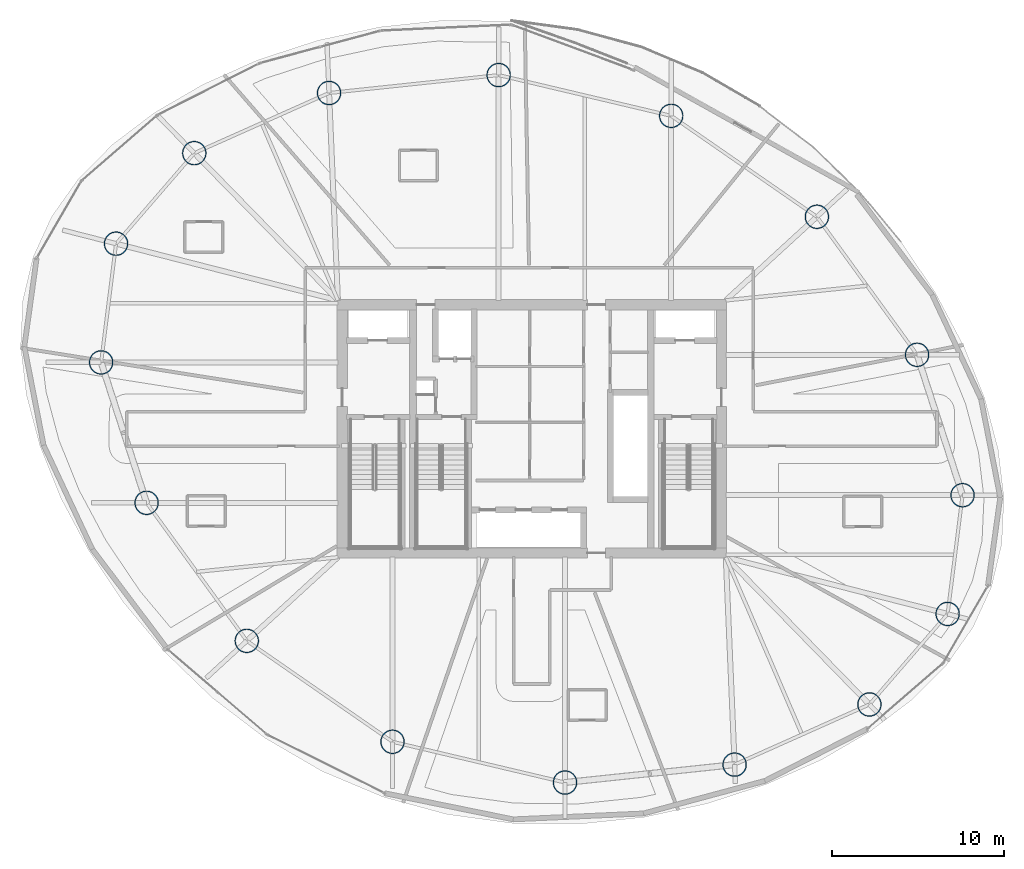
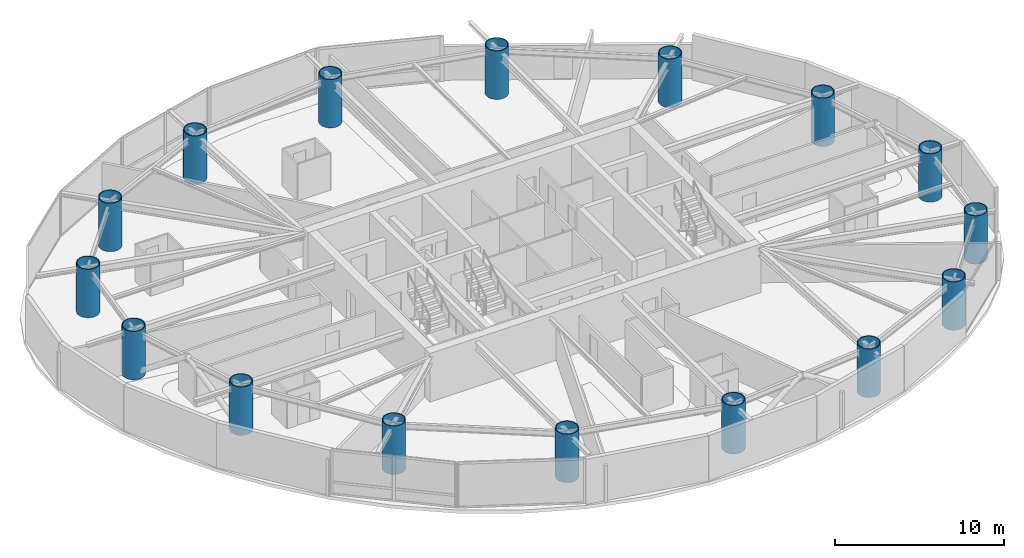
# One storey, part 1 of 19: 16 columns.
"""IFC4 building model written with IfcOpenShell, lengths in metres."""

import ifcopenshell
import ifcopenshell.guid

model = None  # the IFC model being written
_history = None  # IfcOwnerHistory: only IFC2X3 demands one
_inside = {}  # id of a spatial element -> (the spatial element, [elements in it])
_under = {}  # id of a project, library or spatial element -> (it, [spatial elements below it])
_declared = {}  # id of a project -> (the project, [libraries it declares])
_typed = {}  # id of a type object -> (the type object, [elements of that type])
_made_of = {}  # id of a material, layer set ... -> (it, [elements and type objects made of it])


def new_model(schema):
    """Start an empty IFC model of exactly this schema.

    Asked for "IFC4X3", IfcOpenShell would pick the latest addendum, in which some entities
    have other attributes; the version numbers below select the first issue.
    IFC2X3 requires an IfcOwnerHistory on every rooted entity: one is made here for all.
    """
    global model, _history
    if schema == "IFC4X3":
        model = ifcopenshell.file(schema_version=(4, 3, 0, 0))
    else:
        model = ifcopenshell.file(schema=schema)
    _inside.clear()
    _under.clear()
    _declared.clear()
    _typed.clear()
    _made_of.clear()
    _history = None
    if model.schema == "IFC2X3":
        org = make("IfcOrganization", Name="unknown")
        user = make(
            "IfcPersonAndOrganization",
            ThePerson=make("IfcPerson", FamilyName="unknown"),
            TheOrganization=org,
        )
        app = make(
            "IfcApplication",
            ApplicationDeveloper=org,
            Version="unknown",
            ApplicationFullName="unknown",
            ApplicationIdentifier="unknown",
        )
        _history = make(
            "IfcOwnerHistory",
            OwningUser=user,
            OwningApplication=app,
            ChangeAction="ADDED",
            CreationDate=0,
        )
    return model


def make(cls, **values):
    """One entity of the class cls with the attributes given. An attribute that is None is left unset."""
    return model.create_entity(
        cls, **{name: value for name, value in values.items() if value is not None}
    )


def rooted(cls, **values):
    """An entity with a GlobalId (a new one), such as an element, a storey or a relation."""
    return make(cls, GlobalId=ifcopenshell.guid.new(), OwnerHistory=_history, **values)


def si_unit(unit_type, name, prefix=None):
    """IfcSIUnit, for example si_unit("LENGTHUNIT", "METRE", prefix="MILLI")."""
    return make("IfcSIUnit", UnitType=unit_type, Prefix=prefix, Name=name)


def assignment(units):
    """IfcUnitAssignment: the units of a project."""
    return None if units is None else make("IfcUnitAssignment", Units=units)


def point(xyz):
    """IfcCartesianPoint."""
    return None if xyz is None else make("IfcCartesianPoint", Coordinates=xyz)


def direction(xyz):
    """IfcDirection."""
    return None if xyz is None else make("IfcDirection", DirectionRatios=xyz)


def frame(location, z_axis=None, x_axis=None):
    """IfcAxis2Placement3D, a coordinate frame: its origin and axes. An axis left out is left unset."""
    return make(
        "IfcAxis2Placement3D",
        Location=point(location),
        Axis=direction(z_axis),
        RefDirection=direction(x_axis),
    )


def frame_2d(location, x_axis=None):
    """IfcAxis2Placement2D, a coordinate frame in the plane: its origin and x axis."""
    return make(
        "IfcAxis2Placement2D", Location=point(location), RefDirection=direction(x_axis)
    )


def origin():
    """The frame at (0, 0, 0) with its axes left unset."""
    return frame((0.0, 0.0, 0.0))


def origin_2d():
    """The frame at (0, 0) in the plane with its x axis left unset."""
    return frame_2d((0.0, 0.0))


def place(relative_to, where):
    """IfcLocalPlacement: puts the frame where relative to a parent placement (None: the world)."""
    return make(
        "IfcLocalPlacement", PlacementRelTo=relative_to, RelativePlacement=where
    )


def context(
    kind, dimensions, precision=None, world=None, true_north=None, identifier=None
):
    """IfcGeometricRepresentationContext, for example the 3D "Model" context."""
    return make(
        "IfcGeometricRepresentationContext",
        ContextIdentifier=identifier,
        ContextType=kind,
        CoordinateSpaceDimension=dimensions,
        Precision=precision,
        WorldCoordinateSystem=world,
        TrueNorth=true_north,
    )


def subcontext(parent, identifier, kind, view, scale=None):
    """IfcGeometricRepresentationSubContext, for example "Body" below "Model"."""
    return make(
        "IfcGeometricRepresentationSubContext",
        ContextIdentifier=identifier,
        ContextType=kind,
        ParentContext=parent,
        TargetScale=scale,
        TargetView=view,
    )


def project(units=None, contexts=None):
    """IfcProject with its units and contexts."""
    return rooted(
        "IfcProject",
        Name="project",
        RepresentationContexts=contexts,
        UnitsInContext=assignment(units),
    )


def spatial(cls, under=None, at=None, **own):
    """A site, building, storey or space (cls), placed at a placement, below another one or the project."""
    s = rooted(cls, ObjectPlacement=at, **own)
    if under is not None:
        _under.setdefault(under.id(), (under, []))[1].append(s)
    return s


def profile(cls, at=None, kind="AREA", **sizes):
    """A parametric profile (cls). Its sizes go by their IFC names, for example OverallWidth=200.0."""
    return make(cls, ProfileType=kind, Position=at, **sizes)


def hollow_circle(**sizes):
    """IfcCircleHollowProfileDef."""
    return profile("IfcCircleHollowProfileDef", **sizes)


def extrude(swept, where, along, depth):
    """IfcExtrudedAreaSolid: the profile swept, set in the frame where, extruded along a direction by depth."""
    return make(
        "IfcExtrudedAreaSolid",
        SweptArea=swept,
        Position=where,
        ExtrudedDirection=direction(along),
        Depth=depth,
    )


def shape(context_of_items, identifier, shape_type, items):
    """IfcShapeRepresentation: the items that make up one representation, for example the "Body"."""
    return make(
        "IfcShapeRepresentation",
        ContextOfItems=context_of_items,
        RepresentationIdentifier=identifier,
        RepresentationType=shape_type,
        Items=items,
    )


def material(Name=None, Category=None):
    """IfcMaterial."""
    return make("IfcMaterial", Name=Name, Category=Category)


def material_profile(
    of_material, cross_section, Name=None, Category=None, Priority=None
):
    """IfcMaterialProfile: a cross section and its material."""
    return make(
        "IfcMaterialProfile",
        Name=Name,
        Material=of_material,
        Profile=cross_section,
        Priority=Priority,
        Category=Category,
    )


def profile_set(profiles, Name=None, composite=None):
    """IfcMaterialProfileSet."""
    return make(
        "IfcMaterialProfileSet",
        Name=Name,
        MaterialProfiles=profiles,
        CompositeProfile=composite,
    )


def made_of(thing, what):
    """Note that an element or type object is made of a material, layer set ...; save() writes the relation."""
    if what is not None:
        _made_of.setdefault(what.id(), (what, []))[1].append(thing)
    return thing


def type_object(cls, material=None, **own):
    """A type object (cls), such as IfcWallType, which elements share."""
    return made_of(rooted(cls, **own), material)


def element(
    cls,
    number,
    at=None,
    inside=None,
    cuts=None,
    type_object=None,
    material=None,
    context=None,
    identifier="Body",
    shape_type=None,
    held_by="IfcProductDefinitionShape",
    body=None,
    shapes=None,
    **own,
):
    """One element of the class cls, such as IfcWall. Its Tag is "e" and its number.

    at: its placement. inside: the storey or other place that contains it. cuts: it is an
    opening in that element (IfcRelVoidsElement). A single representation is given by context,
    identifier, shape_type and body (its items); several are given by shapes. held_by: the class
    of the entity that holds the representations. save() writes the other relations.
    """
    e = rooted(cls, Tag="e%d" % number, ObjectPlacement=at, **own)
    if body is not None:
        shapes = [shape(context, identifier, shape_type, body)]
    if shapes is not None:
        e.Representation = make(held_by, Representations=shapes)
    if inside is not None:
        _inside.setdefault(inside.id(), (inside, []))[1].append(e)
    if cuts is not None:
        rooted(
            "IfcRelVoidsElement", RelatingBuildingElement=cuts, RelatedOpeningElement=e
        )
    if type_object is not None:
        _typed.setdefault(type_object.id(), (type_object, []))[1].append(e)
    return made_of(e, material)


def aggregate(whole, parts):
    """IfcRelAggregates: a whole, such as a stair, and the parts it consists of."""
    return rooted("IfcRelAggregates", RelatingObject=whole, RelatedObjects=parts)


def save(model, path):
    """Write the relations noted so far, then the file.

    IfcRelAggregates (storeys below a building ...), IfcRelContainedInSpatialStructure (elements
    in a storey), IfcRelDefinesByType, IfcRelAssociatesMaterial and IfcRelDeclares: one each for
    every whole, place, type object, material and project.
    """
    for whole, parts in _under.values():
        aggregate(whole, parts)
    for where, things in _inside.values():
        rooted(
            "IfcRelContainedInSpatialStructure",
            RelatedElements=things,
            RelatingStructure=where,
        )
    for kind, things in _typed.values():
        rooted("IfcRelDefinesByType", RelatedObjects=things, RelatingType=kind)
    for what, things in _made_of.values():
        rooted("IfcRelAssociatesMaterial", RelatedObjects=things, RelatingMaterial=what)
    for by, libraries in _declared.values():
        rooted("IfcRelDeclares", RelatingContext=by, RelatedDefinitions=libraries)
    model.write(path)


model = new_model("IFC4")

# Units and contexts
model_context = context("Model", 3, precision=1e-05, world=origin(), true_north=direction((0.0, 1.0)))
body_context = subcontext(model_context, "Body", "Model", "MODEL_VIEW")
ifc_project = project(units=[si_unit("LENGTHUNIT", "METRE"), si_unit("AREAUNIT", "SQUARE_METRE"), si_unit("VOLUMEUNIT", "CUBIC_METRE"), si_unit("PLANEANGLEUNIT", "RADIAN"), si_unit("MASSUNIT", "GRAM", prefix="KILO")], contexts=[model_context])

# Site, building, storey
site_placement = place(None, origin())
site = spatial("IfcSite", under=ifc_project, at=site_placement, CompositionType="ELEMENT")
building_placement = place(site_placement, origin())
building = spatial("IfcBuilding", under=site, at=building_placement, Name="Bramvorn Convention Spire", CompositionType="ELEMENT")
storey_placement = place(building_placement, frame((0.0, 0.0, 109.800048828125)))
storey = spatial("IfcBuildingStorey", under=building, at=storey_placement, Name="L26", CompositionType="ELEMENT", Elevation=109.800048828125)

# Columns
ifc_material = material(Name="Steel CSA G40.21 Grade 350 (350W)", Category="steel")
ifc_material_profile = material_profile(ifc_material, hollow_circle(Radius=0.699951171875, WallThickness=0.054931640625, at=origin_2d()))
ifc_profile_set = profile_set([ifc_material_profile], Name="Steel CSA G40.21 Grade 350 (350W) - CFT1400X55")
column_type = type_object("IfcColumnType", Name="COL-CFT1400X55", PredefinedType="COLUMN", material=ifc_profile_set)
for number, where, z_axis, x_axis, name in (
    (1, (62.11767578125, 15.26220703125, 0.0), (0.0, 0.0, 1.0), (1.0, 0.0, 0.0), "L26 composite CFT mega-column MC01"),
    (2, (62.983642578125, 22.148193359375, 0.0), (0.0, 0.0, 1.0), (1.0, 0.0, 0.0), "L26 composite CFT mega-column MC02"),
    (3, (60.345703125, 30.293212890625, 0.0), (0.0, 0.0, 1.0), (1.0, 0.0, 0.0), "L26 composite CFT mega-column MC03"),
    (4, (54.534912109375, 38.299072265625, 0.0), (0.0, 0.0, 1.0), (1.0, 0.0, 0.0), "L26 composite CFT mega-column MC04"),
    (5, (46.082763671875, 44.154052734375, 0.0), (0.0, 0.0, 1.0), (1.0, 0.0, 0.0), "L26 composite CFT mega-column MC05"),
    (6, (36.075927734375, 46.517333984375, 0.0), (0.0, 0.0, 1.0), (1.0, 0.0, 0.0), "L26 composite CFT mega-column MC06"),
    (7, (26.23828125, 45.478759765625, 0.0), (0.0, 0.0, 1.0), (1.0, 0.0, 0.0), "L26 composite CFT mega-column MC07"),
    (8, (18.420166015625, 41.9892578125, 0.0), (0.0, 0.0, 1.0), (1.0, 0.0, 0.0), "L26 composite CFT mega-column MC08"),
    (9, (13.88232421875, 36.73779296875, 0.0), (0.0, 0.0, 1.0), (1.0, 0.0, 0.0), "L26 composite CFT mega-column MC09"),
    (10, (13.016357421875, 29.851806640625, 0.0), (0.0, 0.0, 1.0), (1.0, 0.0, 0.0), "L26 composite CFT mega-column MC10"),
    (11, (15.654296875, 21.706787109375, 0.0), (0.0, 0.0, 1.0), (1.0, 0.0, 0.0), "L26 composite CFT mega-column MC11"),
    (12, (21.465087890625, 13.700927734375, 0.0), (0.0, 0.0, 1.0), (1.0, 0.0, 0.0), "L26 composite CFT mega-column MC12"),
    (13, (29.917236328125, 7.845947265625, 0.0), (0.0, 0.0, 1.0), (1.0, 0.0, 0.0), "L26 composite CFT mega-column MC13"),
    (14, (39.924072265625, 5.482666015625, 0.0), (0.0, 0.0, 1.0), (1.0, 0.0, 0.0), "L26 composite CFT mega-column MC14"),
    (15, (49.76171875, 6.521240234375, 0.0), (0.0, 0.0, 1.0), (1.0, 0.0, 0.0), "L26 composite CFT mega-column MC15"),
    (16, (57.579833984375, 10.0107421875, 0.0), (0.0, 0.0, 1.0), (1.0, 0.0, 0.0), "L26 composite CFT mega-column MC16"),
):
    element("IfcColumn", number, at=place(storey_placement, frame(where, z_axis=z_axis, x_axis=x_axis)), inside=storey, type_object=column_type, Name=name, PredefinedType="COLUMN", context=body_context, shape_type="SweptSolid", body=[
        extrude(hollow_circle(Radius=0.699951171875, WallThickness=0.054931640625, at=origin_2d()), origin(), (0.0, 0.0, 1.0), 3.5),
    ])

save(model, "model.ifc")
